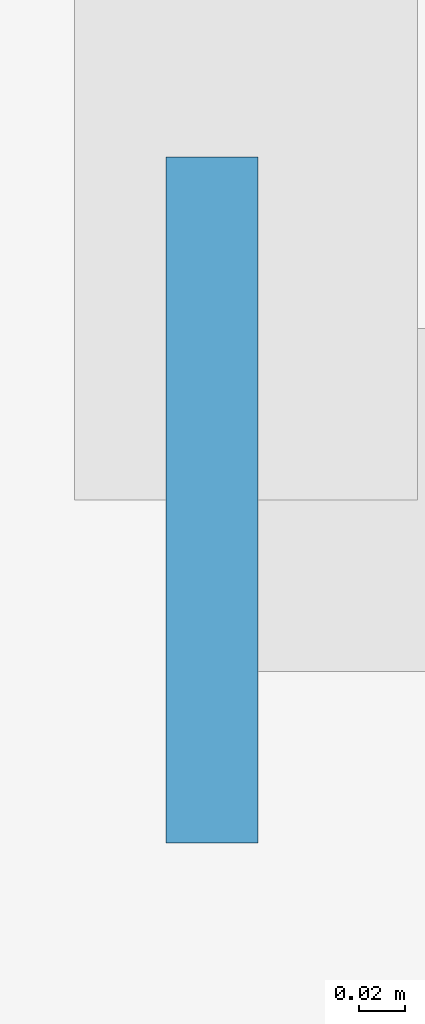
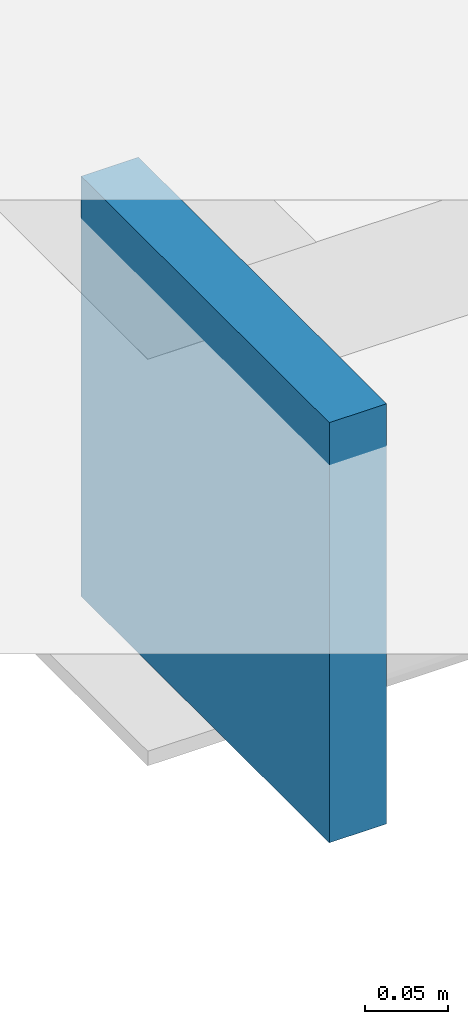
# One storey, part 17 of 25: 1 plate.
"""IFC4 building model written with IfcOpenShell, lengths in metres."""

from ifc_helpers import new_model, si_unit, direction, frame, origin, origin_2d, place, context, subcontext, project, spatial, rectangle, extrude, material, layer, layer_set, type_object, element, save


model = new_model("IFC4")

# Units and contexts
model_context = context("Model", 3, precision=1e-05, world=origin(), true_north=direction((0.0, 1.0)))
body_context = subcontext(model_context, "Body", "Model", "MODEL_VIEW")
ifc_project = project(units=[si_unit("LENGTHUNIT", "METRE"), si_unit("AREAUNIT", "SQUARE_METRE"), si_unit("VOLUMEUNIT", "CUBIC_METRE"), si_unit("PLANEANGLEUNIT", "RADIAN"), si_unit("MASSUNIT", "GRAM", prefix="KILO"), si_unit("THERMODYNAMICTEMPERATUREUNIT", "KELVIN"), si_unit("POWERUNIT", "WATT")], contexts=[model_context])

# Site, building, storey
site_placement = place(None, origin())
site = spatial("IfcSite", under=ifc_project, at=site_placement, CompositionType="ELEMENT")
building_placement = place(site_placement, origin())
building = spatial("IfcBuilding", under=site, at=building_placement, Name="Svarakhadi Broadcast Tower", CompositionType="ELEMENT")
storey_placement = place(building_placement, frame((0.0, 0.0, 231.14990234375)))
storey = spatial("IfcBuildingStorey", under=building, at=storey_placement, Name="L57", CompositionType="ELEMENT", Elevation=231.14990234375)

# Plate
ifc_material = material(Name="Steel S460ML (IS 2062 E450BR)", Category="steel")
ifc_layer = layer(ifc_material, 0.028076171875)
ifc_layer_set = layer_set([ifc_layer], Name="Steel S460ML (IS 2062 E450BR)")
plate_type = type_object("IfcPlateType", Name="Cap_Plate_CP02", PredefinedType="USERDEFINED", material=ifc_layer_set)
plate_placement = place(storey_placement, frame((29.985107421875, -1.800048828125, -0.5048828125), z_axis=(0.0, 0.0, 1.0), x_axis=(1.0, 0.0, 0.0)))
element("IfcPlate", 1, at=plate_placement, inside=storey, type_object=plate_type, Name="L57 Balcony Spandrel End Cap Plate 1F-A", ObjectType="FLANGE_PLATE", PredefinedType="USERDEFINED", context=body_context, shape_type="SweptSolid", body=[
    extrude(rectangle(XDim=0.0400390625, YDim=0.300048828125, at=origin_2d()), origin(), (0.0, 0.0, 1.0), 0.31005859375),
])

save(model, "model.ifc")
